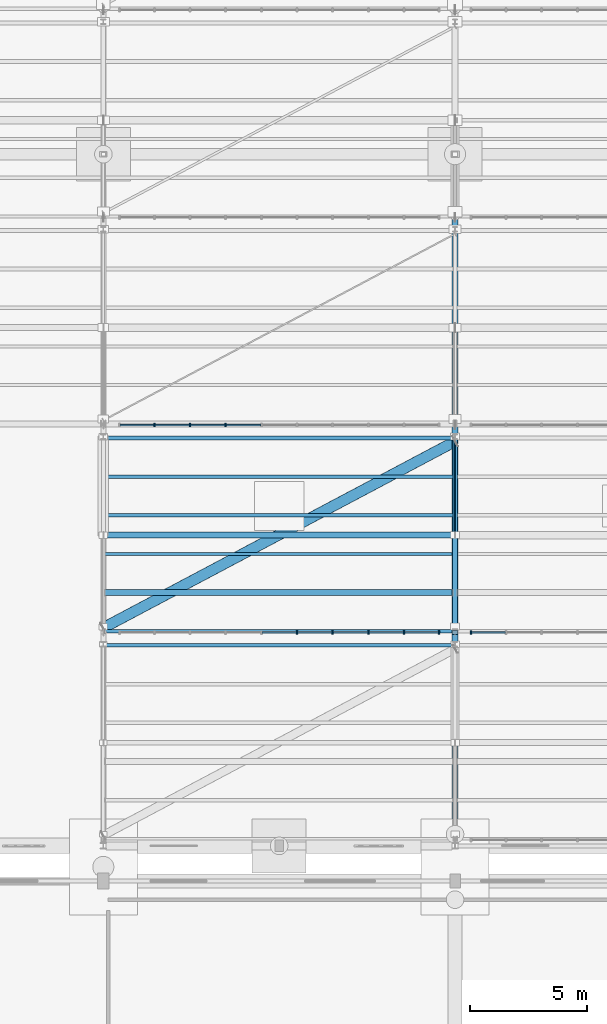
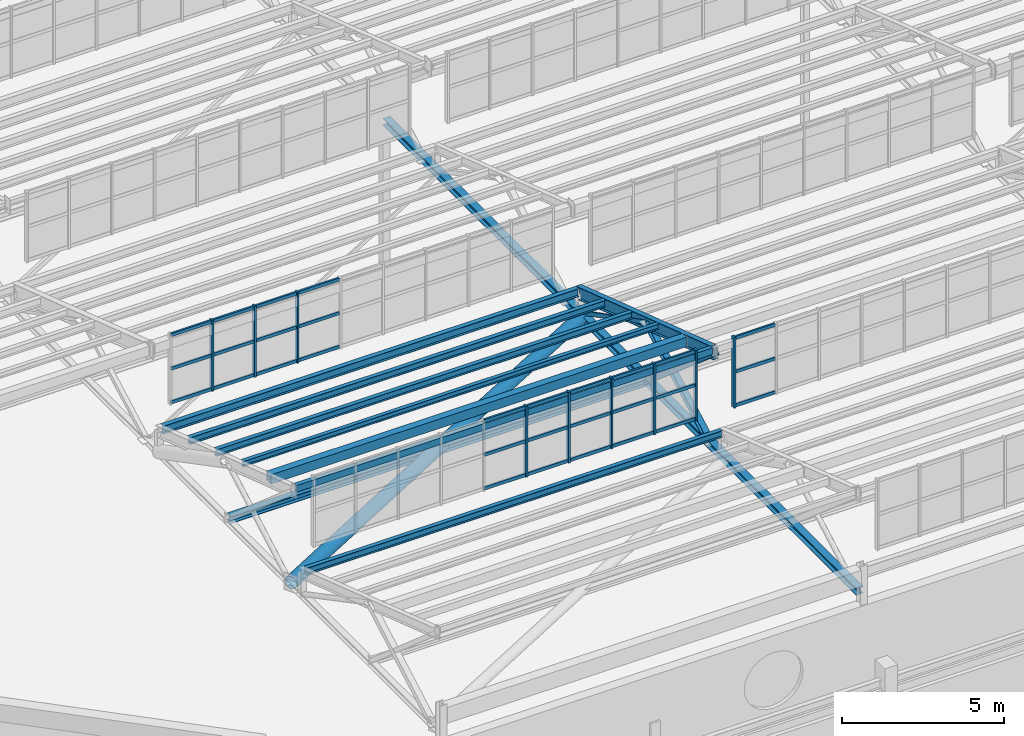
# One storey, part 49 of 285: 44 members, 9 beams, 3 elements without a shape of their own.
"""IFC4 building model written with IfcOpenShell, lengths in metres."""

from ifc_helpers import new_model, si_unit, direction, frame, origin, origin_2d, place, context, subcontext, project, spatial, rectangle, hollow_rectangle, hollow_circle, i_section, extrude, material, material_profile, profile_set, type_object, element, aggregate, save


model = new_model("IFC4")

# Units and contexts
model_context = context("Model", 3, precision=1e-05, world=origin(), true_north=direction((0.0, 1.0)))
body_context = subcontext(model_context, "Body", "Model", "MODEL_VIEW")
ifc_project = project(units=[si_unit("LENGTHUNIT", "METRE"), si_unit("AREAUNIT", "SQUARE_METRE"), si_unit("VOLUMEUNIT", "CUBIC_METRE"), si_unit("PLANEANGLEUNIT", "RADIAN"), si_unit("MASSUNIT", "GRAM", prefix="KILO")], contexts=[model_context])

# Site, building, storey
site_placement = place(None, origin())
site = spatial("IfcSite", under=ifc_project, at=site_placement, CompositionType="ELEMENT")
building_placement = place(site_placement, origin())
building = spatial("IfcBuilding", under=site, at=building_placement, Name="Solanera Park Tramway Depot", CompositionType="ELEMENT")
storey_placement = place(building_placement, origin())
storey = spatial("IfcBuildingStorey", under=building, at=storey_placement, Name="L00", CompositionType="ELEMENT", Elevation=0.0)

# Curtain wall, members
ifc_material_1 = material(Name="Bronze-anodised thermally broken aluminium curtain wall", Category="aluminium")
curtain_wall_type = type_object("IfcCurtainWallType", Name="Sawtooth Clerestory Monitor Curtain Wall", PredefinedType="NOTDEFINED", material=ifc_material_1)
curtain_wall_1_placement = place(storey_placement, origin())
curtain_wall_1 = element("IfcCurtainWall", 1, at=curtain_wall_1_placement, inside=storey, type_object=curtain_wall_type, Name="L00 Sawtooth Clerestory Monitor Curtain Wall #004", PredefinedType="NOTDEFINED")
ifc_material_2 = material(Name="Bronze-anodised structural aluminium 6063-T6", Category="aluminium")
ifc_material_profile_1 = material_profile(ifc_material_2, rectangle(XDim=0.06494140625, YDim=0.14990234375, at=origin_2d()), Name="Curtain Wall Mullion 65x150")
ifc_profile_set_1 = profile_set([ifc_material_profile_1], Name="Bronze-anodised structural aluminium 6063-T6")
member_type_1 = type_object("IfcMemberType", Name="Curtain Wall Mullion 65x150", PredefinedType="MULLION", material=ifc_profile_set_1)
member_1_placement = place(storey_placement, frame((23.260986328125, 64.60009765625, 7.75), z_axis=(0.0, 0.0, 1.0), x_axis=(1.0, 0.0, 0.0)))
member_1 = element("IfcMember", 2, at=member_1_placement, type_object=member_type_1, Name="CW-L00-004 Mullion 6", PredefinedType="MULLION", context=body_context, shape_type="SweptSolid", body=[
    extrude(rectangle(XDim=0.06494140625, YDim=0.14990234375, at=origin_2d()), origin(), (0.0, 0.0, 1.0), 2.6611328125),
])
member_2_placement = place(storey_placement, frame((24.783203125, 64.60009765625, 7.75), z_axis=(0.0, 0.0, 1.0), x_axis=(1.0, 0.0, 0.0)))
member_2 = element("IfcMember", 3, at=member_2_placement, type_object=member_type_1, Name="CW-L00-004 Mullion 7", PredefinedType="MULLION", context=body_context, shape_type="SweptSolid", body=[
    extrude(rectangle(XDim=0.06494140625, YDim=0.14990234375, at=origin_2d()), origin(), (0.0, 0.0, 1.0), 2.6611328125),
])
member_3_placement = place(storey_placement, frame((26.3056640625, 64.60009765625, 7.75), z_axis=(0.0, 0.0, 1.0), x_axis=(1.0, 0.0, 0.0)))
member_3 = element("IfcMember", 4, at=member_3_placement, type_object=member_type_1, Name="CW-L00-004 Mullion 8", PredefinedType="MULLION", context=body_context, shape_type="SweptSolid", body=[
    extrude(rectangle(XDim=0.06494140625, YDim=0.14990234375, at=origin_2d()), origin(), (0.0, 0.0, 1.0), 2.6611328125),
])
member_4_placement = place(storey_placement, frame((27.827880859375, 64.60009765625, 7.75), z_axis=(0.0, 0.0, 1.0), x_axis=(1.0, 0.0, 0.0)))
member_4 = element("IfcMember", 5, at=member_4_placement, type_object=member_type_1, Name="CW-L00-004 Mullion 9", PredefinedType="MULLION", context=body_context, shape_type="SweptSolid", body=[
    extrude(rectangle(XDim=0.06494140625, YDim=0.14990234375, at=origin_2d()), origin(), (0.0, 0.0, 1.0), 2.6611328125),
])
member_5_placement = place(storey_placement, frame((29.3173828125, 64.60009765625, 7.75), z_axis=(0.0, 0.0, 1.0), x_axis=(1.0, 0.0, 0.0)))
member_5 = element("IfcMember", 6, at=member_5_placement, type_object=member_type_1, Name="CW-L00-004 Mullion 10", PredefinedType="MULLION", context=body_context, shape_type="SweptSolid", body=[
    extrude(rectangle(XDim=0.06494140625, YDim=0.14990234375, at=origin_2d()), origin(), (0.0, 0.0, 1.0), 2.6611328125),
])

# Curtain wall, member
curtain_wall_2_placement = place(storey_placement, origin())
curtain_wall_2 = element("IfcCurtainWall", 7, at=curtain_wall_2_placement, inside=storey, type_object=curtain_wall_type, Name="L00 Sawtooth Clerestory Monitor Curtain Wall #005", PredefinedType="NOTDEFINED")
member_6_placement = place(storey_placement, frame((30.6826171875, 64.60009765625, 7.75), z_axis=(0.0, 0.0, 1.0), x_axis=(1.0, 0.0, 0.0)))
member_6 = element("IfcMember", 8, at=member_6_placement, type_object=member_type_1, Name="CW-L00-005 Mullion 1", PredefinedType="MULLION", context=body_context, shape_type="SweptSolid", body=[
    extrude(rectangle(XDim=0.06494140625, YDim=0.14990234375, at=origin_2d()), origin(), (0.0, 0.0, 1.0), 2.6611328125),
])

# Curtain wall, members
curtain_wall_3_placement = place(storey_placement, origin())
curtain_wall_3 = element("IfcCurtainWall", 9, at=curtain_wall_3_placement, inside=storey, type_object=curtain_wall_type, Name="L00 Sawtooth Clerestory Monitor Curtain Wall #012", PredefinedType="NOTDEFINED")
member_7_placement = place(storey_placement, frame((17.172119140625, 73.449951171875, 7.75), z_axis=(0.0, 0.0, 1.0), x_axis=(1.0, 0.0, 0.0)))
member_7 = element("IfcMember", 10, at=member_7_placement, type_object=member_type_1, Name="CW-L00-012 Mullion 2", PredefinedType="MULLION", context=body_context, shape_type="SweptSolid", body=[
    extrude(rectangle(XDim=0.06494140625, YDim=0.14990234375, at=origin_2d()), origin(), (0.0, 0.0, 1.0), 2.6611328125),
])
member_8_placement = place(storey_placement, frame((18.6943359375, 73.449951171875, 7.75), z_axis=(0.0, 0.0, 1.0), x_axis=(1.0, 0.0, 0.0)))
member_8 = element("IfcMember", 11, at=member_8_placement, type_object=member_type_1, Name="CW-L00-012 Mullion 3", PredefinedType="MULLION", context=body_context, shape_type="SweptSolid", body=[
    extrude(rectangle(XDim=0.06494140625, YDim=0.14990234375, at=origin_2d()), origin(), (0.0, 0.0, 1.0), 2.6611328125),
])
member_9_placement = place(storey_placement, frame((20.216796875, 73.449951171875, 7.75), z_axis=(0.0, 0.0, 1.0), x_axis=(1.0, 0.0, 0.0)))
member_9 = element("IfcMember", 12, at=member_9_placement, type_object=member_type_1, Name="CW-L00-012 Mullion 4", PredefinedType="MULLION", context=body_context, shape_type="SweptSolid", body=[
    extrude(rectangle(XDim=0.06494140625, YDim=0.14990234375, at=origin_2d()), origin(), (0.0, 0.0, 1.0), 2.6611328125),
])

# Member
ifc_material_3 = material(Name="Bronze-anodised structural aluminium 6063-T6", Category="aluminium")
ifc_material_profile_2 = material_profile(ifc_material_3, rectangle(XDim=0.06494140625, YDim=0.1201171875, at=origin_2d()), Name="Curtain Wall Transom 65x120")
ifc_profile_set_2 = profile_set([ifc_material_profile_2], Name="Bronze-anodised structural aluminium 6063-T6")
member_type_2 = type_object("IfcMemberType", Name="Curtain Wall Transom 65x120", PredefinedType="USERDEFINED", material=ifc_profile_set_2)
member_10_placement = place(storey_placement, frame((21.766845703125, 64.60009765625, 7.81005859375), z_axis=(1.0, 0.0, 0.0), x_axis=(0.0, 1.0, 0.0)))
member_10 = element("IfcMember", 13, at=member_10_placement, type_object=member_type_2, Name="CW-L00-004 Transom R1.C5", ObjectType="TRANSOM", PredefinedType="USERDEFINED", context=body_context, shape_type="SweptSolid", body=[
    extrude(rectangle(XDim=0.06494140625, YDim=0.1201171875, at=origin_2d()), origin(), (0.0, 0.0, 1.0), 1.46630859375),
])

member_11_placement = place(storey_placement, frame((23.2890625, 64.60009765625, 7.81005859375), z_axis=(1.0, 0.0, 0.0), x_axis=(0.0, 1.0, 0.0)))
member_11 = element("IfcMember", 14, at=member_11_placement, type_object=member_type_2, Name="CW-L00-004 Transom R1.C6", ObjectType="TRANSOM", PredefinedType="USERDEFINED", context=body_context, shape_type="SweptSolid", body=[
    extrude(rectangle(XDim=0.06494140625, YDim=0.1201171875, at=origin_2d()), origin(), (0.0, 0.0, 1.0), 1.46630859375),
])

member_12_placement = place(storey_placement, frame((24.811279296875, 64.60009765625, 7.81005859375), z_axis=(1.0, 0.0, 0.0), x_axis=(0.0, 1.0, 0.0)))
member_12 = element("IfcMember", 15, at=member_12_placement, type_object=member_type_2, Name="CW-L00-004 Transom R1.C7", ObjectType="TRANSOM", PredefinedType="USERDEFINED", context=body_context, shape_type="SweptSolid", body=[
    extrude(rectangle(XDim=0.06494140625, YDim=0.1201171875, at=origin_2d()), origin(), (0.0, 0.0, 1.0), 1.46630859375),
])

member_13_placement = place(storey_placement, frame((26.33349609375, 64.60009765625, 7.81005859375), z_axis=(1.0, 0.0, 0.0), x_axis=(0.0, 1.0, 0.0)))
member_13 = element("IfcMember", 16, at=member_13_placement, type_object=member_type_2, Name="CW-L00-004 Transom R1.C8", ObjectType="TRANSOM", PredefinedType="USERDEFINED", context=body_context, shape_type="SweptSolid", body=[
    extrude(rectangle(XDim=0.06494140625, YDim=0.1201171875, at=origin_2d()), origin(), (0.0, 0.0, 1.0), 1.46630859375),
])

member_14_placement = place(storey_placement, frame((27.855712890625, 64.60009765625, 7.81005859375), z_axis=(1.0, 0.0, 0.0), x_axis=(0.0, 1.0, 0.0)))
member_14 = element("IfcMember", 17, at=member_14_placement, type_object=member_type_2, Name="CW-L00-004 Transom R1.C9", ObjectType="TRANSOM", PredefinedType="USERDEFINED", context=body_context, shape_type="SweptSolid", body=[
    extrude(rectangle(XDim=0.06494140625, YDim=0.1201171875, at=origin_2d()), origin(), (0.0, 0.0, 1.0), 1.433837890625),
])

member_15_placement = place(storey_placement, frame((21.766845703125, 64.60009765625, 9.08056640625), z_axis=(1.0, 0.0, 0.0), x_axis=(0.0, 1.0, 0.0)))
member_15 = element("IfcMember", 18, at=member_15_placement, type_object=member_type_2, Name="CW-L00-004 Transom R2.C5", ObjectType="TRANSOM", PredefinedType="USERDEFINED", context=body_context, shape_type="SweptSolid", body=[
    extrude(rectangle(XDim=0.06494140625, YDim=0.1201171875, at=origin_2d()), origin(), (0.0, 0.0, 1.0), 1.46630859375),
])

member_16_placement = place(storey_placement, frame((23.2890625, 64.60009765625, 9.08056640625), z_axis=(1.0, 0.0, 0.0), x_axis=(0.0, 1.0, 0.0)))
member_16 = element("IfcMember", 19, at=member_16_placement, type_object=member_type_2, Name="CW-L00-004 Transom R2.C6", ObjectType="TRANSOM", PredefinedType="USERDEFINED", context=body_context, shape_type="SweptSolid", body=[
    extrude(rectangle(XDim=0.06494140625, YDim=0.1201171875, at=origin_2d()), origin(), (0.0, 0.0, 1.0), 1.46630859375),
])

member_17_placement = place(storey_placement, frame((24.811279296875, 64.60009765625, 9.08056640625), z_axis=(1.0, 0.0, 0.0), x_axis=(0.0, 1.0, 0.0)))
member_17 = element("IfcMember", 20, at=member_17_placement, type_object=member_type_2, Name="CW-L00-004 Transom R2.C7", ObjectType="TRANSOM", PredefinedType="USERDEFINED", context=body_context, shape_type="SweptSolid", body=[
    extrude(rectangle(XDim=0.06494140625, YDim=0.1201171875, at=origin_2d()), origin(), (0.0, 0.0, 1.0), 1.46630859375),
])

member_18_placement = place(storey_placement, frame((26.33349609375, 64.60009765625, 9.08056640625), z_axis=(1.0, 0.0, 0.0), x_axis=(0.0, 1.0, 0.0)))
member_18 = element("IfcMember", 21, at=member_18_placement, type_object=member_type_2, Name="CW-L00-004 Transom R2.C8", ObjectType="TRANSOM", PredefinedType="USERDEFINED", context=body_context, shape_type="SweptSolid", body=[
    extrude(rectangle(XDim=0.06494140625, YDim=0.1201171875, at=origin_2d()), origin(), (0.0, 0.0, 1.0), 1.46630859375),
])

member_19_placement = place(storey_placement, frame((27.855712890625, 64.60009765625, 9.08056640625), z_axis=(1.0, 0.0, 0.0), x_axis=(0.0, 1.0, 0.0)))
member_19 = element("IfcMember", 22, at=member_19_placement, type_object=member_type_2, Name="CW-L00-004 Transom R2.C9", ObjectType="TRANSOM", PredefinedType="USERDEFINED", context=body_context, shape_type="SweptSolid", body=[
    extrude(rectangle(XDim=0.06494140625, YDim=0.1201171875, at=origin_2d()), origin(), (0.0, 0.0, 1.0), 1.433837890625),
])

member_20_placement = place(storey_placement, frame((21.766845703125, 64.60009765625, 10.351318359375), z_axis=(1.0, 0.0, 0.0), x_axis=(0.0, 1.0, 0.0)))
member_20 = element("IfcMember", 23, at=member_20_placement, type_object=member_type_2, Name="CW-L00-004 Transom R3.C5", ObjectType="TRANSOM", PredefinedType="USERDEFINED", context=body_context, shape_type="SweptSolid", body=[
    extrude(rectangle(XDim=0.06494140625, YDim=0.1201171875, at=origin_2d()), origin(), (0.0, 0.0, 1.0), 1.46630859375),
])

member_21_placement = place(storey_placement, frame((23.2890625, 64.60009765625, 10.351318359375), z_axis=(1.0, 0.0, 0.0), x_axis=(0.0, 1.0, 0.0)))
member_21 = element("IfcMember", 24, at=member_21_placement, type_object=member_type_2, Name="CW-L00-004 Transom R3.C6", ObjectType="TRANSOM", PredefinedType="USERDEFINED", context=body_context, shape_type="SweptSolid", body=[
    extrude(rectangle(XDim=0.06494140625, YDim=0.1201171875, at=origin_2d()), origin(), (0.0, 0.0, 1.0), 1.46630859375),
])

member_22_placement = place(storey_placement, frame((24.811279296875, 64.60009765625, 10.351318359375), z_axis=(1.0, 0.0, 0.0), x_axis=(0.0, 1.0, 0.0)))
member_22 = element("IfcMember", 25, at=member_22_placement, type_object=member_type_2, Name="CW-L00-004 Transom R3.C7", ObjectType="TRANSOM", PredefinedType="USERDEFINED", context=body_context, shape_type="SweptSolid", body=[
    extrude(rectangle(XDim=0.06494140625, YDim=0.1201171875, at=origin_2d()), origin(), (0.0, 0.0, 1.0), 1.46630859375),
])

member_23_placement = place(storey_placement, frame((26.33349609375, 64.60009765625, 10.351318359375), z_axis=(1.0, 0.0, 0.0), x_axis=(0.0, 1.0, 0.0)))
member_23 = element("IfcMember", 26, at=member_23_placement, type_object=member_type_2, Name="CW-L00-004 Transom R3.C8", ObjectType="TRANSOM", PredefinedType="USERDEFINED", context=body_context, shape_type="SweptSolid", body=[
    extrude(rectangle(XDim=0.06494140625, YDim=0.1201171875, at=origin_2d()), origin(), (0.0, 0.0, 1.0), 1.46630859375),
])

member_24_placement = place(storey_placement, frame((27.855712890625, 64.60009765625, 10.351318359375), z_axis=(1.0, 0.0, 0.0), x_axis=(0.0, 1.0, 0.0)))
member_24 = element("IfcMember", 27, at=member_24_placement, type_object=member_type_2, Name="CW-L00-004 Transom R3.C9", ObjectType="TRANSOM", PredefinedType="USERDEFINED", context=body_context, shape_type="SweptSolid", body=[
    extrude(rectangle(XDim=0.06494140625, YDim=0.1201171875, at=origin_2d()), origin(), (0.0, 0.0, 1.0), 1.433837890625),
])

aggregate(curtain_wall_1, [member_1, member_2, member_3, member_4, member_5, member_10, member_11, member_12, member_13, member_14, member_15, member_16, member_17, member_18, member_19, member_20, member_21, member_22, member_23, member_24])

member_25_placement = place(storey_placement, frame((30.71044921875, 64.60009765625, 7.81005859375), z_axis=(1.0, 0.0, 0.0), x_axis=(0.0, 1.0, 0.0)))
member_25 = element("IfcMember", 28, at=member_25_placement, type_object=member_type_2, Name="CW-L00-005 Transom R1.C1", ObjectType="TRANSOM", PredefinedType="USERDEFINED", context=body_context, shape_type="SweptSolid", body=[
    extrude(rectangle(XDim=0.06494140625, YDim=0.1201171875, at=origin_2d()), origin(), (0.0, 0.0, 1.0), 1.433837890625),
])

member_26_placement = place(storey_placement, frame((30.71044921875, 64.60009765625, 9.08056640625), z_axis=(1.0, 0.0, 0.0), x_axis=(0.0, 1.0, 0.0)))
member_26 = element("IfcMember", 29, at=member_26_placement, type_object=member_type_2, Name="CW-L00-005 Transom R2.C1", ObjectType="TRANSOM", PredefinedType="USERDEFINED", context=body_context, shape_type="SweptSolid", body=[
    extrude(rectangle(XDim=0.06494140625, YDim=0.1201171875, at=origin_2d()), origin(), (0.0, 0.0, 1.0), 1.433837890625),
])

member_27_placement = place(storey_placement, frame((30.71044921875, 64.60009765625, 10.351318359375), z_axis=(1.0, 0.0, 0.0), x_axis=(0.0, 1.0, 0.0)))
member_27 = element("IfcMember", 30, at=member_27_placement, type_object=member_type_2, Name="CW-L00-005 Transom R3.C1", ObjectType="TRANSOM", PredefinedType="USERDEFINED", context=body_context, shape_type="SweptSolid", body=[
    extrude(rectangle(XDim=0.06494140625, YDim=0.1201171875, at=origin_2d()), origin(), (0.0, 0.0, 1.0), 1.433837890625),
])

aggregate(curtain_wall_2, [member_6, member_25, member_26, member_27])

member_28_placement = place(storey_placement, frame((15.71044921875, 73.449951171875, 7.81005859375), z_axis=(1.0, 0.0, 0.0), x_axis=(0.0, 1.0, 0.0)))
member_28 = element("IfcMember", 31, at=member_28_placement, type_object=member_type_2, Name="CW-L00-012 Transom R1.C1", ObjectType="TRANSOM", PredefinedType="USERDEFINED", context=body_context, shape_type="SweptSolid", body=[
    extrude(rectangle(XDim=0.06494140625, YDim=0.1201171875, at=origin_2d()), origin(), (0.0, 0.0, 1.0), 1.433837890625),
])

member_29_placement = place(storey_placement, frame((17.2001953125, 73.449951171875, 7.81005859375), z_axis=(1.0, 0.0, 0.0), x_axis=(0.0, 1.0, 0.0)))
member_29 = element("IfcMember", 32, at=member_29_placement, type_object=member_type_2, Name="CW-L00-012 Transom R1.C2", ObjectType="TRANSOM", PredefinedType="USERDEFINED", context=body_context, shape_type="SweptSolid", body=[
    extrude(rectangle(XDim=0.06494140625, YDim=0.1201171875, at=origin_2d()), origin(), (0.0, 0.0, 1.0), 1.46630859375),
])

member_30_placement = place(storey_placement, frame((18.722412109375, 73.449951171875, 7.81005859375), z_axis=(1.0, 0.0, 0.0), x_axis=(0.0, 1.0, 0.0)))
member_30 = element("IfcMember", 33, at=member_30_placement, type_object=member_type_2, Name="CW-L00-012 Transom R1.C3", ObjectType="TRANSOM", PredefinedType="USERDEFINED", context=body_context, shape_type="SweptSolid", body=[
    extrude(rectangle(XDim=0.06494140625, YDim=0.1201171875, at=origin_2d()), origin(), (0.0, 0.0, 1.0), 1.46630859375),
])

member_31_placement = place(storey_placement, frame((20.24462890625, 73.449951171875, 7.81005859375), z_axis=(1.0, 0.0, 0.0), x_axis=(0.0, 1.0, 0.0)))
member_31 = element("IfcMember", 34, at=member_31_placement, type_object=member_type_2, Name="CW-L00-012 Transom R1.C4", ObjectType="TRANSOM", PredefinedType="USERDEFINED", context=body_context, shape_type="SweptSolid", body=[
    extrude(rectangle(XDim=0.06494140625, YDim=0.1201171875, at=origin_2d()), origin(), (0.0, 0.0, 1.0), 1.46630859375),
])

member_32_placement = place(storey_placement, frame((15.71044921875, 73.449951171875, 9.08056640625), z_axis=(1.0, 0.0, 0.0), x_axis=(0.0, 1.0, 0.0)))
member_32 = element("IfcMember", 35, at=member_32_placement, type_object=member_type_2, Name="CW-L00-012 Transom R2.C1", ObjectType="TRANSOM", PredefinedType="USERDEFINED", context=body_context, shape_type="SweptSolid", body=[
    extrude(rectangle(XDim=0.06494140625, YDim=0.1201171875, at=origin_2d()), origin(), (0.0, 0.0, 1.0), 1.433837890625),
])

member_33_placement = place(storey_placement, frame((17.2001953125, 73.449951171875, 9.08056640625), z_axis=(1.0, 0.0, 0.0), x_axis=(0.0, 1.0, 0.0)))
member_33 = element("IfcMember", 36, at=member_33_placement, type_object=member_type_2, Name="CW-L00-012 Transom R2.C2", ObjectType="TRANSOM", PredefinedType="USERDEFINED", context=body_context, shape_type="SweptSolid", body=[
    extrude(rectangle(XDim=0.06494140625, YDim=0.1201171875, at=origin_2d()), origin(), (0.0, 0.0, 1.0), 1.46630859375),
])

member_34_placement = place(storey_placement, frame((18.722412109375, 73.449951171875, 9.08056640625), z_axis=(1.0, 0.0, 0.0), x_axis=(0.0, 1.0, 0.0)))
member_34 = element("IfcMember", 37, at=member_34_placement, type_object=member_type_2, Name="CW-L00-012 Transom R2.C3", ObjectType="TRANSOM", PredefinedType="USERDEFINED", context=body_context, shape_type="SweptSolid", body=[
    extrude(rectangle(XDim=0.06494140625, YDim=0.1201171875, at=origin_2d()), origin(), (0.0, 0.0, 1.0), 1.46630859375),
])

member_35_placement = place(storey_placement, frame((20.24462890625, 73.449951171875, 9.08056640625), z_axis=(1.0, 0.0, 0.0), x_axis=(0.0, 1.0, 0.0)))
member_35 = element("IfcMember", 38, at=member_35_placement, type_object=member_type_2, Name="CW-L00-012 Transom R2.C4", ObjectType="TRANSOM", PredefinedType="USERDEFINED", context=body_context, shape_type="SweptSolid", body=[
    extrude(rectangle(XDim=0.06494140625, YDim=0.1201171875, at=origin_2d()), origin(), (0.0, 0.0, 1.0), 1.46630859375),
])

member_36_placement = place(storey_placement, frame((15.71044921875, 73.449951171875, 10.351318359375), z_axis=(1.0, 0.0, 0.0), x_axis=(0.0, 1.0, 0.0)))
member_36 = element("IfcMember", 39, at=member_36_placement, type_object=member_type_2, Name="CW-L00-012 Transom R3.C1", ObjectType="TRANSOM", PredefinedType="USERDEFINED", context=body_context, shape_type="SweptSolid", body=[
    extrude(rectangle(XDim=0.06494140625, YDim=0.1201171875, at=origin_2d()), origin(), (0.0, 0.0, 1.0), 1.433837890625),
])

member_37_placement = place(storey_placement, frame((17.2001953125, 73.449951171875, 10.351318359375), z_axis=(1.0, 0.0, 0.0), x_axis=(0.0, 1.0, 0.0)))
member_37 = element("IfcMember", 40, at=member_37_placement, type_object=member_type_2, Name="CW-L00-012 Transom R3.C2", ObjectType="TRANSOM", PredefinedType="USERDEFINED", context=body_context, shape_type="SweptSolid", body=[
    extrude(rectangle(XDim=0.06494140625, YDim=0.1201171875, at=origin_2d()), origin(), (0.0, 0.0, 1.0), 1.46630859375),
])

member_38_placement = place(storey_placement, frame((18.722412109375, 73.449951171875, 10.351318359375), z_axis=(1.0, 0.0, 0.0), x_axis=(0.0, 1.0, 0.0)))
member_38 = element("IfcMember", 41, at=member_38_placement, type_object=member_type_2, Name="CW-L00-012 Transom R3.C3", ObjectType="TRANSOM", PredefinedType="USERDEFINED", context=body_context, shape_type="SweptSolid", body=[
    extrude(rectangle(XDim=0.06494140625, YDim=0.1201171875, at=origin_2d()), origin(), (0.0, 0.0, 1.0), 1.46630859375),
])

member_39_placement = place(storey_placement, frame((20.24462890625, 73.449951171875, 10.351318359375), z_axis=(1.0, 0.0, 0.0), x_axis=(0.0, 1.0, 0.0)))
member_39 = element("IfcMember", 42, at=member_39_placement, type_object=member_type_2, Name="CW-L00-012 Transom R3.C4", ObjectType="TRANSOM", PredefinedType="USERDEFINED", context=body_context, shape_type="SweptSolid", body=[
    extrude(rectangle(XDim=0.06494140625, YDim=0.1201171875, at=origin_2d()), origin(), (0.0, 0.0, 1.0), 1.46630859375),
])

aggregate(curtain_wall_3, [member_7, member_8, member_9, member_28, member_29, member_30, member_31, member_32, member_33, member_34, member_35, member_36, member_37, member_38, member_39])

# Members
ifc_material_4 = material(Name="Steel AS/NZS 3679.1 Grade 350", Category="steel")
ifc_material_profile_3 = material_profile(ifc_material_4, i_section(OverallWidth=0.205078125, OverallDepth=0.209716796875, WebThickness=0.00927734375, FlangeThickness=0.01416015625, at=origin_2d()), Name="200UC59.5")
ifc_profile_set_3 = profile_set([ifc_material_profile_3], Name="Steel AS/NZS 3679.1 Grade 350")
member_type_3 = type_object("IfcMemberType", Name="Roof Gantry Compression Strut 200UC59.5", PredefinedType="STRUT", material=ifc_profile_set_3)
member_40_placement = place(storey_placement, frame((30.0, 64.85009765625, 6.5), z_axis=(0.0, 0.874074669389, 0.485791593517), x_axis=(-1.0, 0.0, 0.0)))
element("IfcMember", 43, at=member_40_placement, inside=storey, type_object=member_type_3, Name="Sawtooth ROOF TRUSS Strut 200UC59.5 #0051", PredefinedType="STRUT", context=body_context, shape_type="SweptSolid", body=[
    extrude(i_section(OverallWidth=0.205078125, OverallDepth=0.209716796875, WebThickness=0.00927734375, FlangeThickness=0.01416015625, at=origin_2d()), origin(), (0.0, 0.0, 1.0), 4.461669921875),
])
ifc_material_5 = material(Name="Steel AS/NZS 3679.1 Grade 350", Category="steel")
ifc_material_profile_4 = material_profile(ifc_material_5, i_section(OverallWidth=0.25390625, OverallDepth=0.25390625, WebThickness=0.008544921875, FlangeThickness=0.01416015625, at=origin_2d()), Name="250UC72.9")
ifc_profile_set_4 = profile_set([ifc_material_profile_4], Name="Steel AS/NZS 3679.1 Grade 350")
member_type_4 = type_object("IfcMemberType", Name="Secondary Truss Chord 250UC72.9", PredefinedType="CHORD", material=ifc_profile_set_4)
member_41_placement = place(storey_placement, frame((15.087890625, 68.75, 6.5), z_axis=(1.0, 0.0, 0.0), x_axis=(0.0, 1.0, 0.0)))
element("IfcMember", 44, at=member_41_placement, inside=storey, type_object=member_type_4, Name="Sawtooth Longitudinal Tie Chord 250UC72.9 #0073", PredefinedType="CHORD", context=body_context, shape_type="SweptSolid", body=[
    extrude(i_section(OverallWidth=0.25390625, OverallDepth=0.25390625, WebThickness=0.008544921875, FlangeThickness=0.01416015625, at=origin_2d()), origin(), (0.0, 0.0, 1.0), 14.82421875),
])

# Beams
ifc_material_6 = material(Name="Steel AS/NZS 3679.1 Grade 350", Category="steel")
ifc_material_profile_5 = material_profile(ifc_material_6, i_section(OverallWidth=0.25390625, OverallDepth=0.25390625, WebThickness=0.008544921875, FlangeThickness=0.01416015625, at=origin_2d()), Name="250UC72.9")
ifc_profile_set_5 = profile_set([ifc_material_profile_5], Name="Steel AS/NZS 3679.1 Grade 350")
beam_type_1 = type_object("IfcBeamType", Name="Steel Beam 250UC72.9", PredefinedType="BEAM", material=ifc_profile_set_5)
beam_1_placement = place(storey_placement, frame((30.0, 55.6279296875, 6.5), z_axis=(0.0, 1.0, 0.0), x_axis=(-1.0, 0.0, 0.0)))
element("IfcBeam", 45, at=beam_1_placement, inside=storey, type_object=beam_type_1, Name="Sawtooth ROOF TRUSS Bottom Chord 250UC72.9 #0373", PredefinedType="BEAM", context=body_context, shape_type="SweptSolid", body=[
    extrude(i_section(OverallWidth=0.25390625, OverallDepth=0.25390625, WebThickness=0.008544921875, FlangeThickness=0.01416015625, at=origin_2d()), origin(), (0.0, 0.0, 1.0), 29.2470703125),
])
ifc_material_7 = material(Name="Steel AS/NZS 3679.1 Grade 350", Category="steel")
ifc_material_profile_6 = material_profile(ifc_material_7, i_section(OverallWidth=0.1904296875, OverallDepth=0.45751953125, WebThickness=0.009033203125, FlangeThickness=0.014404296875, at=origin_2d()), Name="460UB74.6")
ifc_profile_set_6 = profile_set([ifc_material_profile_6], Name="Steel AS/NZS 3679.1 Grade 350")
beam_type_2 = type_object("IfcBeamType", Name="Steel Beam 460UB74.6", PredefinedType="BEAM", material=ifc_profile_set_6)
beam_2_placement = place(storey_placement, frame((30.0, 64.60009765625, 10.05615234375), z_axis=(0.0, 0.948319437663, -0.317317261034), x_axis=(-1.0, 0.0, 0.0)))
element("IfcBeam", 46, at=beam_2_placement, inside=storey, type_object=beam_type_2, Name="Sawtooth ROOF TRUSS Top Rafter 460UB74.6 B02-T2", PredefinedType="BEAM", context=body_context, shape_type="SweptSolid", body=[
    extrude(i_section(OverallWidth=0.1904296875, OverallDepth=0.45751953125, WebThickness=0.009033203125, FlangeThickness=0.014404296875, at=origin_2d()), origin(), (0.0, 0.0, 1.0), 8.804931640625),
])
ifc_material_8 = material(Name="Steel AS/NZS 3679.1 Grade 350", Category="steel")
ifc_material_profile_7 = material_profile(ifc_material_8, i_section(OverallWidth=0.13330078125, OverallDepth=0.203125, WebThickness=0.005859375, FlangeThickness=0.0078125, at=origin_2d()), Name="200UB25.4")
ifc_profile_set_7 = profile_set([ifc_material_profile_7], Name="Steel AS/NZS 3679.1 Grade 350")
beam_type_3 = type_object("IfcBeamType", Name="Steel Joist Purlin 200UB25.4", PredefinedType="JOIST", material=ifc_profile_set_7)
beam_3_placement = place(storey_placement, frame((15.080810546875, 67.949951171875, 9.06201171875), z_axis=(1.0, 0.0, 0.0), x_axis=(0.0, 1.0, 0.0)))
element("IfcBeam", 47, at=beam_3_placement, inside=storey, type_object=beam_type_3, Name="Sawtooth Roof Purlin 200UB25.4 B02.3", PredefinedType="JOIST", context=body_context, shape_type="SweptSolid", body=[
    extrude(i_section(OverallWidth=0.13330078125, OverallDepth=0.203125, WebThickness=0.005859375, FlangeThickness=0.0078125, at=origin_2d()), origin(), (0.0, 0.0, 1.0), 14.83203125),
])
ifc_material_9 = material(Name="Steel AS/NZS 3679.1 Grade 350", Category="steel")
ifc_material_profile_8 = material_profile(ifc_material_9, i_section(OverallWidth=0.14599609375, OverallDepth=0.251708984375, WebThickness=0.006103515625, FlangeThickness=0.008544921875, at=origin_2d()), Name="250UB31.4")
ifc_profile_set_8 = profile_set([ifc_material_profile_8], Name="Steel AS/NZS 3679.1 Grade 350")
beam_type_4 = type_object("IfcBeamType", Name="Steel Joist Purlin 250UB31.4", PredefinedType="JOIST", material=ifc_profile_set_8)
beam_4_placement = place(storey_placement, frame((15.080810546875, 69.60009765625, 8.483642578125), z_axis=(1.0, 0.0, 0.0), x_axis=(0.0, 1.0, 0.0)))
element("IfcBeam", 48, at=beam_4_placement, inside=storey, type_object=beam_type_4, Name="Sawtooth Roof Purlin 250UB31.4 B02.4", PredefinedType="JOIST", context=body_context, shape_type="SweptSolid", body=[
    extrude(i_section(OverallWidth=0.14599609375, OverallDepth=0.251708984375, WebThickness=0.006103515625, FlangeThickness=0.008544921875, at=origin_2d()), origin(), (0.0, 0.0, 1.0), 14.83203125),
])
ifc_material_10 = material(Name="Steel AS/NZS 3679.1 Grade 350", Category="steel")
ifc_material_profile_9 = material_profile(ifc_material_10, i_section(OverallWidth=0.146484375, OverallDepth=0.256103515625, WebThickness=0.00634765625, FlangeThickness=0.010986328125, at=origin_2d()), Name="250UB37.3")
ifc_profile_set_9 = profile_set([ifc_material_profile_9], Name="Steel AS/NZS 3679.1 Grade 350")
beam_type_5 = type_object("IfcBeamType", Name="Steel Joist Purlin 250UB37.3", PredefinedType="JOIST", material=ifc_profile_set_9)
beam_5_placement = place(storey_placement, frame((15.077880859375, 64.050048828125, 7.377197265625), z_axis=(1.0, 0.0, 0.0), x_axis=(0.0, 1.0, 0.0)))
element("IfcBeam", 49, at=beam_5_placement, inside=storey, type_object=beam_type_5, Name="Sawtooth Roof Purlin 250UB37.3 B01.6", PredefinedType="JOIST", context=body_context, shape_type="SweptSolid", body=[
    extrude(i_section(OverallWidth=0.146484375, OverallDepth=0.256103515625, WebThickness=0.00634765625, FlangeThickness=0.010986328125, at=origin_2d()), origin(), (0.0, 0.0, 1.0), 14.84130859375),
])
beam_6_placement = place(storey_placement, frame((15.080810546875, 71.25, 7.92919921875), z_axis=(1.0, 0.0, 0.0), x_axis=(0.0, 1.0, 0.0)))
element("IfcBeam", 50, at=beam_6_placement, inside=storey, type_object=beam_type_5, Name="Sawtooth Roof Purlin 250UB37.3 B02.5", PredefinedType="JOIST", context=body_context, shape_type="SweptSolid", body=[
    extrude(i_section(OverallWidth=0.146484375, OverallDepth=0.256103515625, WebThickness=0.00634765625, FlangeThickness=0.010986328125, at=origin_2d()), origin(), (0.0, 0.0, 1.0), 14.83203125),
])
ifc_material_11 = material(Name="Steel AS/NZS 1163 Grade C350L0", Category="steel")
ifc_material_profile_10 = material_profile(ifc_material_11, hollow_rectangle(XDim=0.14990234375, YDim=0.25, WallThickness=0.008056640625, at=origin_2d()), Name="250x150x8.0 RHS")
ifc_profile_set_10 = profile_set([ifc_material_profile_10], Name="Steel AS/NZS 1163 Grade C350L0")
beam_type_6 = type_object("IfcBeamType", Name="Steel Joist Purlin 250x150x8.0 RHS", PredefinedType="JOIST", material=ifc_profile_set_10)
beam_7_placement = place(storey_placement, frame((15.080810546875, 64.64990234375, 10.139892578125), z_axis=(1.0, 0.0, 0.0), x_axis=(0.0, 1.0, 0.0)))
element("IfcBeam", 51, at=beam_7_placement, inside=storey, type_object=beam_type_6, Name="Sawtooth Roof Purlin 250x150x8.0 RHS B02.1", PredefinedType="JOIST", context=body_context, shape_type="SweptSolid", body=[
    extrude(hollow_rectangle(XDim=0.14990234375, YDim=0.25, WallThickness=0.008056640625, at=origin_2d()), origin(), (0.0, 0.0, 1.0), 14.83203125),
])
ifc_material_12 = material(Name="Steel AS/NZS 3679.1 Grade 350", Category="steel")
ifc_material_profile_11 = material_profile(ifc_material_12, i_section(OverallWidth=0.1650390625, OverallDepth=0.3037109375, WebThickness=0.006103515625, FlangeThickness=0.01025390625, at=origin_2d()), Name="310UB40.4")
ifc_profile_set_11 = profile_set([ifc_material_profile_11], Name="Steel AS/NZS 3679.1 Grade 350")
beam_type_7 = type_object("IfcBeamType", Name="Steel Joist Purlin 310UB40.4", PredefinedType="JOIST", material=ifc_profile_set_11)
beam_8_placement = place(storey_placement, frame((15.080810546875, 72.89990234375, 7.35009765625), z_axis=(1.0, 0.0, 0.0), x_axis=(0.0, 1.0, 0.0)))
element("IfcBeam", 52, at=beam_8_placement, inside=storey, type_object=beam_type_7, Name="Sawtooth Roof Purlin 310UB40.4 B02.6", PredefinedType="JOIST", context=body_context, shape_type="SweptSolid", body=[
    extrude(i_section(OverallWidth=0.1650390625, OverallDepth=0.3037109375, WebThickness=0.006103515625, FlangeThickness=0.01025390625, at=origin_2d()), origin(), (0.0, 0.0, 1.0), 14.83203125),
])
ifc_material_13 = material(Name="Steel AS/NZS 1163 Grade C350L0", Category="steel")
ifc_material_profile_12 = material_profile(ifc_material_13, hollow_rectangle(XDim=0.25, YDim=0.35009765625, WallThickness=0.010009765625, at=origin_2d()), Name="350x250x10.0 RHS")
ifc_profile_set_12 = profile_set([ifc_material_profile_12], Name="Steel AS/NZS 1163 Grade C350L0")
beam_type_8 = type_object("IfcBeamType", Name="Steel Joist Purlin 350x250x10.0 RHS", PredefinedType="JOIST", material=ifc_profile_set_12)
beam_9_placement = place(storey_placement, frame((15.080810546875, 66.300048828125, 9.521240234375), z_axis=(1.0, 0.0, 0.0), x_axis=(0.0, 1.0, 0.0)))
element("IfcBeam", 53, at=beam_9_placement, inside=storey, type_object=beam_type_8, Name="Sawtooth Roof Purlin 350x250x10.0 RHS B02.2", PredefinedType="JOIST", context=body_context, shape_type="SweptSolid", body=[
    extrude(hollow_rectangle(XDim=0.25, YDim=0.35009765625, WallThickness=0.010009765625, at=origin_2d()), origin(), (0.0, 0.0, 1.0), 14.83203125),
])

# Members
ifc_material_14 = material(Name="Steel AS/NZS 1163 Grade C350L0", Category="steel")
ifc_material_profile_13 = material_profile(ifc_material_14, hollow_rectangle(XDim=0.050048828125, YDim=0.14990234375, WallThickness=0.0048828125, at=origin_2d()), Name="150x50x5.0 RHS")
ifc_profile_set_13 = profile_set([ifc_material_profile_13], Name="Steel AS/NZS 1163 Grade C350L0")
member_type_5 = type_object("IfcMemberType", Name="Truss and Frame Brace 150x50x5.0 RHS", PredefinedType="BRACE", material=ifc_profile_set_13)
member_42_placement = place(storey_placement, frame((30.0, 72.949951171875, 6.5), z_axis=(0.0, -0.888641030015, 0.458603445008), x_axis=(1.0, 0.0, 0.0)))
element("IfcMember", 54, at=member_42_placement, inside=storey, type_object=member_type_5, Name="Sawtooth ROOF TRUSS Diagonal 150x50x5.0 RHS #0050", PredefinedType="BRACE", context=body_context, shape_type="SweptSolid", body=[
    extrude(hollow_rectangle(XDim=0.050048828125, YDim=0.14990234375, WallThickness=0.0048828125, at=origin_2d()), origin(), (0.0, 0.0, 1.0), 4.726318359375),
])
ifc_material_15 = material(Name="Steel AS/NZS 1163 Grade C350L0", Category="steel")
ifc_material_profile_14 = material_profile(ifc_material_15, hollow_rectangle(XDim=0.25, YDim=0.25, WallThickness=0.010009765625, at=origin_2d()), Name="250x250x10.0 SHS")
ifc_profile_set_14 = profile_set([ifc_material_profile_14], Name="Steel AS/NZS 1163 Grade C350L0")
member_type_6 = type_object("IfcMemberType", Name="Truss and Frame Brace 250x250x10.0 SHS", PredefinedType="BRACE", material=ifc_profile_set_14)
member_43_placement = place(storey_placement, frame((30.0, 68.75, 6.5), z_axis=(0.0, -0.759338583023, 0.650695717162), x_axis=(1.0, 0.0, 0.0)))
element("IfcMember", 55, at=member_43_placement, inside=storey, type_object=member_type_6, Name="Sawtooth ROOF TRUSS Web Brace 250x250x10.0 SHS #0049", PredefinedType="BRACE", context=body_context, shape_type="SweptSolid", body=[
    extrude(hollow_rectangle(XDim=0.25, YDim=0.25, WallThickness=0.010009765625, at=origin_2d()), origin(), (0.0, 0.0, 1.0), 5.465087890625),
])
ifc_material_16 = material(Name="Steel AS/NZS 1163 Grade C350L0", Category="steel")
ifc_material_profile_15 = material_profile(ifc_material_16, hollow_circle(Radius=0.228515625, WallThickness=0.0126953125, at=origin_2d()), Name="457.0x12.7 CHS")
ifc_profile_set_15 = profile_set([ifc_material_profile_15], Name="Steel AS/NZS 1163 Grade C350L0")
member_type_7 = type_object("IfcMemberType", Name="Truss and Frame Brace 457.0x12.7 CHS", PredefinedType="BRACE", material=ifc_profile_set_15)
member_44_placement = place(storey_placement, frame((15.001953125, 64.800048828125, 6.5), z_axis=(0.883523615038, 0.468386615598, 0.0), x_axis=(-0.468386615598, 0.883523615038, 0.0)))
element("IfcMember", 56, at=member_44_placement, inside=storey, type_object=member_type_7, Name="Roof Plane Cyclonic Brace 457.0x12.7 CHS #0074", PredefinedType="BRACE", context=body_context, shape_type="SweptSolid", body=[
    extrude(hollow_circle(Radius=0.228515625, WallThickness=0.0126953125, at=origin_2d()), origin(), (0.0, 0.0, 1.0), 16.97314453125),
])

save(model, "model.ifc")
